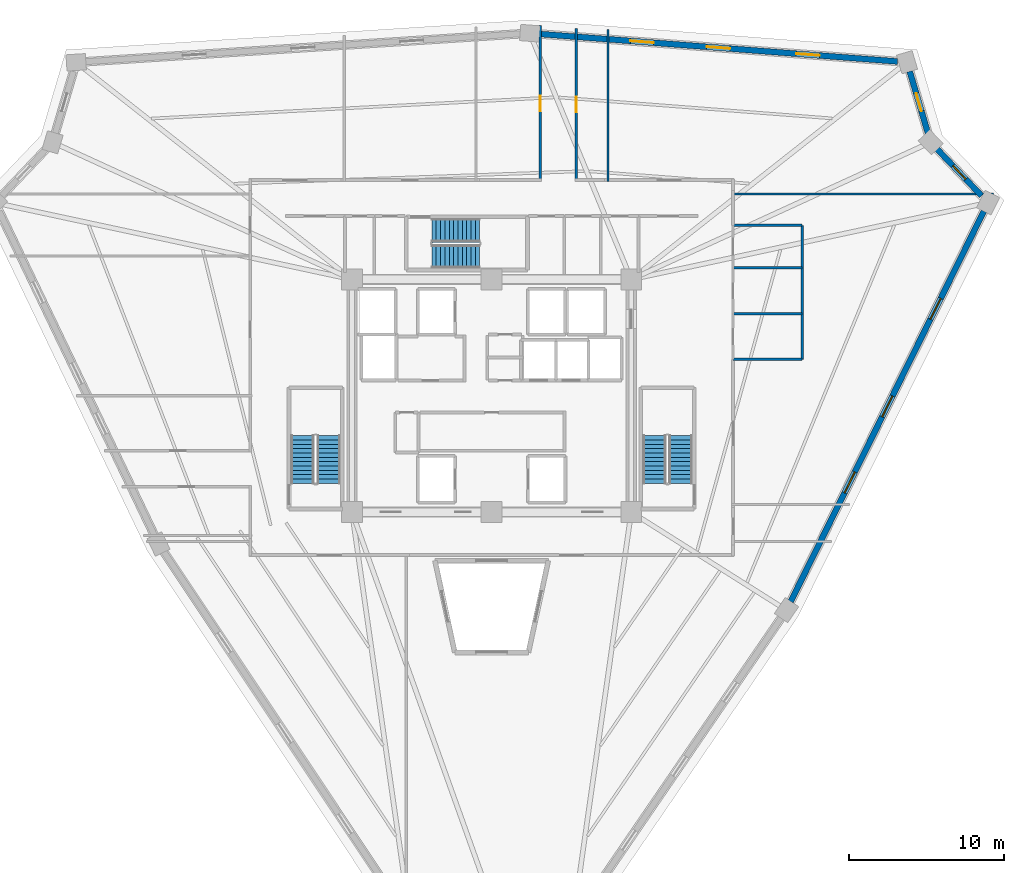
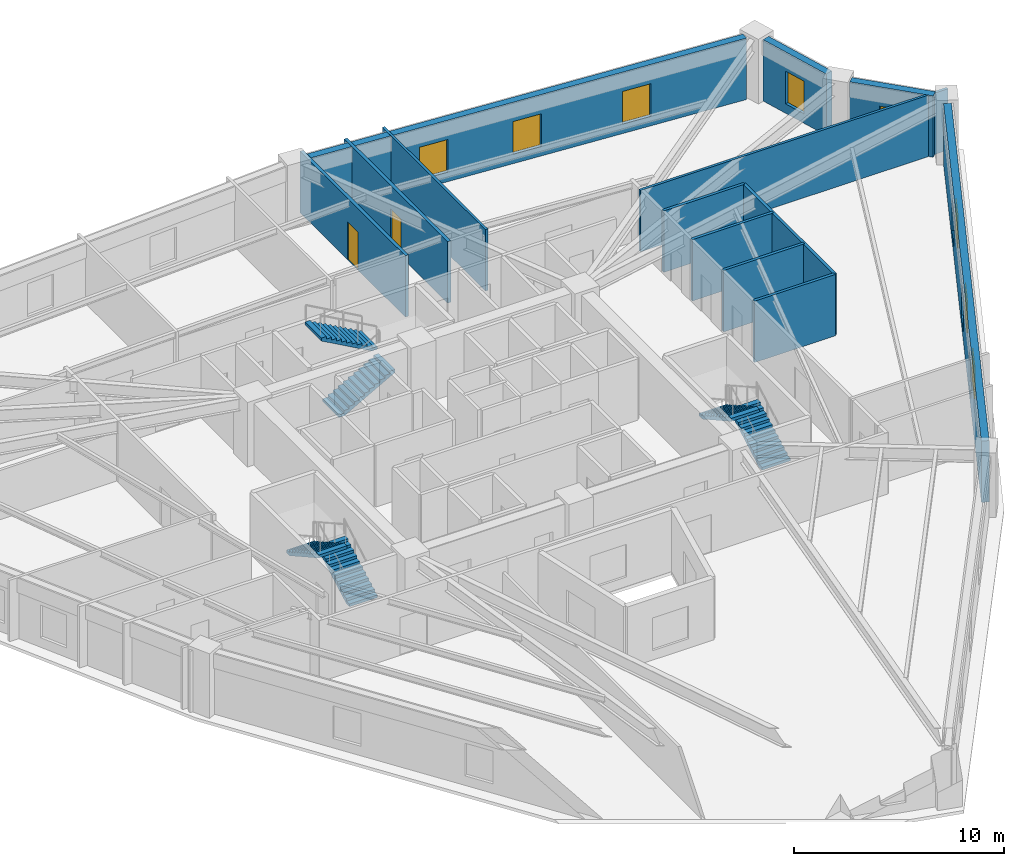
# One storey, part 7 of 8: 13 walls, 8 windows, 6 stair flights, 2 doors, 10 openings, 3 elements without a shape of their own.
"""IFC4 building model written with IfcOpenShell, lengths in metres."""

from ifc_helpers import new_model, si_unit, direction, frame, frame_2d, origin, place, context, subcontext, project, spatial, polyline, rectangle, outline, extrude, source, transform, mapped, material, layer, layer_set, type_object, element, fill, aggregate, save


model = new_model("IFC4")

# Units and contexts
model_context = context("Model", 3, precision=1e-05, world=origin(), true_north=direction((0.0, 1.0)))
body_context = subcontext(model_context, "Body", "Model", "MODEL_VIEW")
ifc_project = project(units=[si_unit("LENGTHUNIT", "METRE"), si_unit("AREAUNIT", "SQUARE_METRE"), si_unit("VOLUMEUNIT", "CUBIC_METRE"), si_unit("PLANEANGLEUNIT", "RADIAN"), si_unit("MASSUNIT", "GRAM", prefix="KILO")], contexts=[model_context])

# Site, building, storey
site_placement = place(None, origin())
site = spatial("IfcSite", under=ifc_project, at=site_placement, CompositionType="ELEMENT")
building_placement = place(site_placement, origin())
building = spatial("IfcBuilding", under=site, at=building_placement, Name="Liaohun Quay Tower", CompositionType="ELEMENT")
storey_placement = place(building_placement, frame((0.0, 0.0, 247.5)))
storey = spatial("IfcBuildingStorey", under=building, at=storey_placement, Name="L64", CompositionType="ELEMENT", Elevation=247.5)

# Wall, openings, windows
ifc_material_1 = material(Name="Precast concrete C50 insulated sandwich", Category="concrete")
ifc_layer_1 = layer(ifc_material_1, 0.3798828125, Name="Precast concrete C50 insulated sandwich", Category="concrete")
ifc_layer_set_1 = layer_set([ifc_layer_1], Name="Precast concrete C50 insulated sandwich")
wall_type_1 = type_object("IfcWallType", Name="WAL-EXT-Z34", PredefinedType="SOLIDWALL", material=ifc_layer_set_1)
wall_1_placement = place(storey_placement, frame((79.281005859375, 40.73291015625, 0.0), z_axis=(0.0, 0.0, 1.0), x_axis=(0.44350165784, 0.896273551709, 0.0)))
wall_1 = element("IfcWall", 1, at=wall_1_placement, inside=storey, type_object=wall_type_1, Name="L64 Brutalist Precast Pier Wall 03", PredefinedType="SOLIDWALL", context=body_context, shape_type="SweptSolid", body=[
    extrude(rectangle(XDim=28.07421875, YDim=0.3798828125, at=frame_2d((14.037109375, 0.0))), origin(), (0.0, 0.0, 1.0), 3.570068359375),
])
shared_shape_1 = source(origin(), body_context, "Body", "SweptSolid", [
    extrude(rectangle(XDim=1.5, YDim=1.89990234375, at=frame_2d((0.75, 0.949951171875))), frame((0.0, 0.199951171875, 0.0), z_axis=(0.0, -1.0, 0.0), x_axis=(1.0, 0.0, 0.0)), (0.0, 0.0, 1.0), 0.39990234375),
])
opening_1_placement = place(wall_1_placement, frame((7.819091796875, 0.0, 0.550048828125)))
opening_1 = element("IfcOpeningElement", 2, at=opening_1_placement, cuts=wall_1, Name="Opening W03", PredefinedType="OPENING", context=body_context, shape_type="MappedRepresentation", body=[
    mapped(shared_shape_1, transform((0.0, 0.0, 0.0), x_axis=(1.0, 0.0, 0.0), y_axis=(0.0, 1.0, 0.0), z_axis=(0.0, 0.0, 1.0), scale=1.0)),
])
opening_2_placement = place(wall_1_placement, frame((13.287109375, 0.0, 0.550048828125)))
opening_2 = element("IfcOpeningElement", 3, at=opening_2_placement, cuts=wall_1, Name="Opening W03", PredefinedType="OPENING", context=body_context, shape_type="MappedRepresentation", body=[
    mapped(shared_shape_1, transform((0.0, 0.0, 0.0), x_axis=(1.0, 0.0, 0.0), y_axis=(0.0, 1.0, 0.0), z_axis=(0.0, 0.0, 1.0), scale=1.0)),
])
opening_3_placement = place(wall_1_placement, frame((20.305908203125, 0.0, 0.550048828125)))
opening_3 = element("IfcOpeningElement", 4, at=opening_3_placement, cuts=wall_1, Name="Opening W03", PredefinedType="OPENING", context=body_context, shape_type="MappedRepresentation", body=[
    mapped(shared_shape_1, transform((0.0, 0.0, 0.0), x_axis=(1.0, 0.0, 0.0), y_axis=(0.0, 1.0, 0.0), z_axis=(0.0, 0.0, 1.0), scale=1.0)),
])
ifc_material_2 = material(Name="Triple Low-E argon glazing in thermally broken aluminium", Category="aluminium")
window_type_1 = type_object("IfcWindowType", Name="WIN-PUN-Z3", PartitioningType="DOUBLE_PANEL_VERTICAL", PredefinedType="WINDOW", material=ifc_material_2)
shared_shape_2 = source(origin(), body_context, "Body", "SweptSolid", [
    extrude(rectangle(XDim=1.5, YDim=1.89990234375, at=frame_2d((0.75, 0.949951171875))), frame((0.0, 0.030029296875, 0.0), z_axis=(0.0, -1.0, 0.0), x_axis=(1.0, 0.0, 0.0)), (0.0, 0.0, 1.0), 0.06005859375),
])
window_1_placement = place(opening_1_placement, origin())
window_1 = element("IfcWindow", 5, at=window_1_placement, inside=storey, type_object=window_type_1, Name="L64 Recessed Cold-Climate Punched Window 03-1", OverallHeight=1.89990234375, OverallWidth=1.5, PartitioningType="DOUBLE_PANEL_VERTICAL", PredefinedType="WINDOW", context=body_context, shape_type="MappedRepresentation", body=[
    mapped(shared_shape_2, transform((0.0, 0.0, 0.0), x_axis=(1.0, 0.0, 0.0), y_axis=(0.0, 1.0, 0.0), z_axis=(0.0, 0.0, 1.0), scale=1.0)),
])
fill(opening_1, window_1)
window_2_placement = place(opening_2_placement, origin())
window_2 = element("IfcWindow", 6, at=window_2_placement, inside=storey, type_object=window_type_1, Name="L64 Recessed Cold-Climate Punched Window 03-2", OverallHeight=1.89990234375, OverallWidth=1.5, PartitioningType="DOUBLE_PANEL_VERTICAL", PredefinedType="WINDOW", context=body_context, shape_type="MappedRepresentation", body=[
    mapped(shared_shape_2, transform((0.0, 0.0, 0.0), x_axis=(1.0, 0.0, 0.0), y_axis=(0.0, 1.0, 0.0), z_axis=(0.0, 0.0, 1.0), scale=1.0)),
])
fill(opening_2, window_2)
window_3_placement = place(opening_3_placement, origin())
window_3 = element("IfcWindow", 7, at=window_3_placement, inside=storey, type_object=window_type_1, Name="L64 Recessed Cold-Climate Punched Window 03-3", OverallHeight=1.89990234375, OverallWidth=1.5, PartitioningType="DOUBLE_PANEL_VERTICAL", PredefinedType="WINDOW", context=body_context, shape_type="MappedRepresentation", body=[
    mapped(shared_shape_2, transform((0.0, 0.0, 0.0), x_axis=(1.0, 0.0, 0.0), y_axis=(0.0, 1.0, 0.0), z_axis=(0.0, 0.0, 1.0), scale=1.0)),
])
fill(opening_3, window_3)

# Wall, opening, window
wall_2_placement = place(storey_placement, frame((91.5810546875, 66.89208984375, 0.0), z_axis=(0.0, 0.0, 1.0), x_axis=(-0.689387303183, 0.724392950139, 0.0)))
wall_2 = element("IfcWall", 8, at=wall_2_placement, inside=storey, type_object=wall_type_1, Name="L64 Brutalist Precast Pier Wall 04", PredefinedType="SOLIDWALL", context=body_context, shape_type="SweptSolid", body=[
    extrude(rectangle(XDim=4.142822265625, YDim=0.3798828125, at=frame_2d((2.0712890625, 0.0))), origin(), (0.0, 0.0, 1.0), 3.570068359375),
])
shared_shape_3 = source(origin(), body_context, "Body", "SweptSolid", [
    extrude(rectangle(XDim=1.199951171875, YDim=1.89990234375, at=frame_2d((0.60009765625, 0.949951171875))), frame((0.0, 0.199951171875, 0.0), z_axis=(0.0, -1.0, 0.0), x_axis=(1.0, 0.0, 0.0)), (0.0, 0.0, 1.0), 0.39990234375),
])
opening_4_placement = place(wall_2_placement, frame((1.470947265625, 0.0, 0.550048828125)))
opening_4 = element("IfcOpeningElement", 9, at=opening_4_placement, cuts=wall_2, Name="Opening W05", PredefinedType="OPENING", context=body_context, shape_type="MappedRepresentation", body=[
    mapped(shared_shape_3, transform((0.0, 0.0, 0.0), x_axis=(1.0, 0.0, 0.0), y_axis=(0.0, 1.0, 0.0), z_axis=(0.0, 0.0, 1.0), scale=1.0)),
])
ifc_material_3 = material(Name="Triple Low-E corner notch glazing", Category="glass")
window_type_2 = type_object("IfcWindowType", Name="WIN-NOTCH", PartitioningType="SINGLE_PANEL", PredefinedType="WINDOW", material=ifc_material_3)
shared_shape_4 = source(origin(), body_context, "Body", "SweptSolid", [
    extrude(rectangle(XDim=1.199951171875, YDim=1.89990234375, at=frame_2d((0.60009765625, 0.949951171875))), frame((0.0, 0.030029296875, 0.0), z_axis=(0.0, -1.0, 0.0), x_axis=(1.0, 0.0, 0.0)), (0.0, 0.0, 1.0), 0.06005859375),
])
window_4_placement = place(opening_4_placement, origin())
window_4 = element("IfcWindow", 10, at=window_4_placement, inside=storey, type_object=window_type_2, Name="L64 Corner Notch Window W05-04", OverallHeight=1.89990234375, OverallWidth=1.199951171875, PartitioningType="SINGLE_PANEL", PredefinedType="WINDOW", context=body_context, shape_type="MappedRepresentation", body=[
    mapped(shared_shape_4, transform((0.0, 0.0, 0.0), x_axis=(1.0, 0.0, 0.0), y_axis=(0.0, 1.0, 0.0), z_axis=(0.0, 0.0, 1.0), scale=1.0)),
])
fill(opening_4, window_4)

wall_3_placement = place(storey_placement, frame((88.126953125, 70.928955078125, 0.0), z_axis=(0.0, 0.0, 1.0), x_axis=(-0.283028996967, 0.959111352699, 0.0)))
wall_3 = element("IfcWall", 11, at=wall_3_placement, inside=storey, type_object=wall_type_1, Name="L64 Brutalist Precast Pier Wall 05", PredefinedType="SOLIDWALL", context=body_context, shape_type="SweptSolid", body=[
    extrude(rectangle(XDim=4.151611328125, YDim=0.3798828125, at=frame_2d((2.07568359375, 0.0))), origin(), (0.0, 0.0, 1.0), 3.570068359375),
])
opening_5_placement = place(wall_3_placement, frame((1.47607421875, 0.0, 0.550048828125)))
opening_5 = element("IfcOpeningElement", 12, at=opening_5_placement, cuts=wall_3, Name="Opening W05", PredefinedType="OPENING", context=body_context, shape_type="MappedRepresentation", body=[
    mapped(shared_shape_3, transform((0.0, 0.0, 0.0), x_axis=(1.0, 0.0, 0.0), y_axis=(0.0, 1.0, 0.0), z_axis=(0.0, 0.0, 1.0), scale=1.0)),
])
window_5_placement = place(opening_5_placement, origin())
window_5 = element("IfcWindow", 13, at=window_5_placement, inside=storey, type_object=window_type_2, Name="L64 Corner Notch Window W05-05", OverallHeight=1.89990234375, OverallWidth=1.199951171875, PartitioningType="SINGLE_PANEL", PredefinedType="WINDOW", context=body_context, shape_type="MappedRepresentation", body=[
    mapped(shared_shape_4, transform((0.0, 0.0, 0.0), x_axis=(1.0, 0.0, 0.0), y_axis=(0.0, 1.0, 0.0), z_axis=(0.0, 0.0, 1.0), scale=1.0)),
])
fill(opening_5, window_5)

# Wall, openings, windows
wall_4_placement = place(storey_placement, frame((86.1650390625, 75.548095703125, 0.0), z_axis=(0.0, 0.0, 1.0), x_axis=(-0.997058143471, 0.076648930443, 0.0)))
wall_4 = element("IfcWall", 14, at=wall_4_placement, inside=storey, type_object=wall_type_1, Name="L64 Brutalist Precast Pier Wall 06", PredefinedType="SOLIDWALL", context=body_context, shape_type="SweptSolid", body=[
    extrude(rectangle(XDim=23.15625, YDim=0.3798828125, at=frame_2d((11.578125, 0.0))), origin(), (0.0, 0.0, 1.0), 3.570068359375),
])
opening_6_placement = place(wall_4_placement, frame((5.0390625, 0.0, 0.550048828125)))
opening_6 = element("IfcOpeningElement", 15, at=opening_6_placement, cuts=wall_4, Name="Opening W03", PredefinedType="OPENING", context=body_context, shape_type="MappedRepresentation", body=[
    mapped(shared_shape_1, transform((0.0, 0.0, 0.0), x_axis=(1.0, 0.0, 0.0), y_axis=(0.0, 1.0, 0.0), z_axis=(0.0, 0.0, 1.0), scale=1.0)),
])
opening_7_placement = place(wall_4_placement, frame((10.827880859375, 0.0, 0.550048828125)))
opening_7 = element("IfcOpeningElement", 16, at=opening_7_placement, cuts=wall_4, Name="Opening W03", PredefinedType="OPENING", context=body_context, shape_type="MappedRepresentation", body=[
    mapped(shared_shape_1, transform((0.0, 0.0, 0.0), x_axis=(1.0, 0.0, 0.0), y_axis=(0.0, 1.0, 0.0), z_axis=(0.0, 0.0, 1.0), scale=1.0)),
])
opening_8_placement = place(wall_4_placement, frame((15.76708984375, 0.0, 0.550048828125)))
opening_8 = element("IfcOpeningElement", 17, at=opening_8_placement, cuts=wall_4, Name="Opening W03", PredefinedType="OPENING", context=body_context, shape_type="MappedRepresentation", body=[
    mapped(shared_shape_1, transform((0.0, 0.0, 0.0), x_axis=(1.0, 0.0, 0.0), y_axis=(0.0, 1.0, 0.0), z_axis=(0.0, 0.0, 1.0), scale=1.0)),
])
window_6_placement = place(opening_6_placement, origin())
window_6 = element("IfcWindow", 18, at=window_6_placement, inside=storey, type_object=window_type_1, Name="L64 Recessed Cold-Climate Punched Window 06-1", OverallHeight=1.89990234375, OverallWidth=1.5, PartitioningType="DOUBLE_PANEL_VERTICAL", PredefinedType="WINDOW", context=body_context, shape_type="MappedRepresentation", body=[
    mapped(shared_shape_2, transform((0.0, 0.0, 0.0), x_axis=(1.0, 0.0, 0.0), y_axis=(0.0, 1.0, 0.0), z_axis=(0.0, 0.0, 1.0), scale=1.0)),
])
fill(opening_6, window_6)
window_7_placement = place(opening_7_placement, origin())
window_7 = element("IfcWindow", 19, at=window_7_placement, inside=storey, type_object=window_type_1, Name="L64 Recessed Cold-Climate Punched Window 06-2", OverallHeight=1.89990234375, OverallWidth=1.5, PartitioningType="DOUBLE_PANEL_VERTICAL", PredefinedType="WINDOW", context=body_context, shape_type="MappedRepresentation", body=[
    mapped(shared_shape_2, transform((0.0, 0.0, 0.0), x_axis=(1.0, 0.0, 0.0), y_axis=(0.0, 1.0, 0.0), z_axis=(0.0, 0.0, 1.0), scale=1.0)),
])
fill(opening_7, window_7)
window_8_placement = place(opening_8_placement, origin())
window_8 = element("IfcWindow", 20, at=window_8_placement, inside=storey, type_object=window_type_1, Name="L64 Recessed Cold-Climate Punched Window 06-3", OverallHeight=1.89990234375, OverallWidth=1.5, PartitioningType="DOUBLE_PANEL_VERTICAL", PredefinedType="WINDOW", context=body_context, shape_type="MappedRepresentation", body=[
    mapped(shared_shape_2, transform((0.0, 0.0, 0.0), x_axis=(1.0, 0.0, 0.0), y_axis=(0.0, 1.0, 0.0), z_axis=(0.0, 0.0, 1.0), scale=1.0)),
])
fill(opening_8, window_8)

# Wall, opening, door
ifc_material_4 = material(Name="Autoclaved aerated concrete blockwork", Category="masonry")
ifc_layer_2 = layer(ifc_material_4, 0.179931640625, Name="Autoclaved aerated concrete blockwork", Category="masonry")
ifc_layer_set_2 = layer_set([ifc_layer_2], Name="Autoclaved aerated concrete blockwork")
wall_type_2 = type_object("IfcWallType", Name="WAL-PRT-COR", PredefinedType="PARTITIONING", material=ifc_layer_set_2)
wall_5_placement = place(storey_placement, frame((65.4599609375, 77.680908203125, 0.0), z_axis=(0.0, 0.0, 1.0), x_axis=(0.0, -1.0, 0.0)))
wall_5 = element("IfcWall", 21, at=wall_5_placement, inside=storey, type_object=wall_type_2, Name="L64 Interior Partition Wall 018", PredefinedType="PARTITIONING", context=body_context, shape_type="SweptSolid", body=[
    extrude(rectangle(XDim=9.8408203125, YDim=0.179931640625, at=frame_2d((4.92041015625, 0.0))), origin(), (0.0, 0.0, 1.0), 3.570068359375),
])
shared_shape_5 = source(origin(), body_context, "Body", "SweptSolid", [
    extrude(rectangle(XDim=1.0, YDim=2.199951171875, at=frame_2d((0.5, 1.10009765625))), frame((0.0, 0.099853515625, 0.0), z_axis=(0.0, -1.0, 0.0), x_axis=(1.0, 0.0, 0.0)), (0.0, 0.0, 1.0), 0.199951171875),
])
opening_9_placement = place(wall_5_placement, frame((4.419921875, 0.0, 0.0)))
opening_9 = element("IfcOpeningElement", 22, at=opening_9_placement, cuts=wall_5, Name="Opening OD1", PredefinedType="OPENING", context=body_context, shape_type="MappedRepresentation", body=[
    mapped(shared_shape_5, transform((0.0, 0.0, 0.0), x_axis=(1.0, 0.0, 0.0), y_axis=(0.0, 1.0, 0.0), z_axis=(0.0, 0.0, 1.0), scale=1.0)),
])
ifc_material_5 = material(Name="Solid-core oak veneer timber leaf in steel frame", Category="steel")
door_type = type_object("IfcDoorType", Name="DOR-OFF-1000", OperationType="NOTDEFINED", PredefinedType="DOOR", material=ifc_material_5)
shared_shape_6 = source(origin(), body_context, "Body", "SweptSolid", [
    extrude(rectangle(XDim=1.0, YDim=2.199951171875, at=frame_2d((0.5, 1.10009765625))), frame((0.0, 0.02490234375, 0.0), z_axis=(0.0, -1.0, 0.0), x_axis=(1.0, 0.0, 0.0)), (0.0, 0.0, 1.0), 0.050048828125),
])
door_1_placement = place(opening_9_placement, origin())
door_1 = element("IfcDoor", 23, at=door_1_placement, inside=storey, type_object=door_type, Name="L64 Digital Prototyping Laboratory 03 Door", OperationType="SINGLE_SWING_RIGHT", OverallHeight=2.199951171875, OverallWidth=1.0, PredefinedType="DOOR", context=body_context, shape_type="MappedRepresentation", body=[
    mapped(shared_shape_6, transform((0.0, 0.0, 0.0), x_axis=(1.0, 0.0, 0.0), y_axis=(0.0, 1.0, 0.0), z_axis=(0.0, 0.0, 1.0), scale=1.0)),
])
fill(opening_9, door_1)

wall_6_placement = place(storey_placement, frame((63.139892578125, 67.840087890625, 0.0), z_axis=(0.0, 0.0, 1.0), x_axis=(0.0, 1.0, 0.0)))
wall_6 = element("IfcWall", 24, at=wall_6_placement, inside=storey, type_object=wall_type_2, Name="L64 Interior Partition Wall 019", PredefinedType="PARTITIONING", context=body_context, shape_type="SweptSolid", body=[
    extrude(rectangle(XDim=10.018798828125, YDim=0.179931640625, at=frame_2d((5.00927734375, 0.0))), origin(), (0.0, 0.0, 1.0), 3.570068359375),
])
opening_10_placement = place(wall_6_placement, frame((4.509033203125, 0.0, 0.0)))
opening_10 = element("IfcOpeningElement", 25, at=opening_10_placement, cuts=wall_6, Name="Opening OD1", PredefinedType="OPENING", context=body_context, shape_type="MappedRepresentation", body=[
    mapped(shared_shape_5, transform((0.0, 0.0, 0.0), x_axis=(1.0, 0.0, 0.0), y_axis=(0.0, 1.0, 0.0), z_axis=(0.0, 0.0, 1.0), scale=1.0)),
])
door_2_placement = place(opening_10_placement, origin())
door_2 = element("IfcDoor", 26, at=door_2_placement, inside=storey, type_object=door_type, Name="L64 Project Collaboration Studio 04 Door", OperationType="SINGLE_SWING_LEFT", OverallHeight=2.199951171875, OverallWidth=1.0, PredefinedType="DOOR", context=body_context, shape_type="MappedRepresentation", body=[
    mapped(shared_shape_6, transform((0.0, 0.0, 0.0), x_axis=(1.0, 0.0, 0.0), y_axis=(0.0, 1.0, 0.0), z_axis=(0.0, 0.0, 1.0), scale=1.0)),
])
fill(opening_10, door_2)

# Walls
ifc_material_6 = material(Name="Gypsum board on twin steel studs", Category="steel")
ifc_layer_3 = layer(ifc_material_6, 0.139892578125, Name="Gypsum board on twin steel studs", Category="steel")
ifc_layer_set_3 = layer_set([ifc_layer_3], Name="Gypsum board on twin steel studs")
wall_type_3 = type_object("IfcWallType", Name="WAL-PRT-OFF", PredefinedType="PARTITIONING", material=ifc_layer_set_3)
wall_7_placement = place(storey_placement, frame((75.4599609375, 67.0, 0.0), z_axis=(0.0, 0.0, 1.0), x_axis=(1.0, 0.0, 0.0)))
element("IfcWall", 27, at=wall_7_placement, inside=storey, type_object=wall_type_3, Name="L64 Interior Partition Wall 061", PredefinedType="PARTITIONING", context=body_context, shape_type="SweptSolid", body=[
    extrude(rectangle(XDim=16.887939453125, YDim=0.139892578125, at=frame_2d((8.44384765625, 0.0))), origin(), (0.0, 0.0, 1.0), 3.570068359375),
])
wall_8_placement = place(storey_placement, frame((67.5, 67.81005859375, 0.0), z_axis=(0.0, 0.0, 1.0), x_axis=(0.0, 1.0, 0.0)))
element("IfcWall", 28, at=wall_8_placement, inside=storey, type_object=wall_type_3, Name="L64 Interior Partition Wall 064", PredefinedType="PARTITIONING", context=body_context, shape_type="SweptSolid", body=[
    extrude(rectangle(XDim=9.804931640625, YDim=0.139892578125, at=frame_2d((4.90234375, 0.0))), origin(), (0.0, 0.0, 1.0), 3.570068359375),
])
ifc_material_7 = material(Name="Moisture-resistant masonry blockwork", Category="masonry")
ifc_layer_4 = layer(ifc_material_7, 0.159912109375, Name="Moisture-resistant masonry blockwork", Category="masonry")
ifc_layer_set_4 = layer_set([ifc_layer_4], Name="Moisture-resistant masonry blockwork")
wall_type_4 = type_object("IfcWallType", Name="WAL-PRT-WET", PredefinedType="PARTITIONING", material=ifc_layer_set_4)
wall_9_placement = place(storey_placement, frame((80.02001953125, 56.340087890625, 0.0), z_axis=(0.0, 0.0, 1.0), x_axis=(0.0, 1.0, 0.0)))
element("IfcWall", 29, at=wall_9_placement, inside=storey, type_object=wall_type_4, Name="L64 Interior Partition Wall 035", PredefinedType="PARTITIONING", context=body_context, shape_type="SweptSolid", body=[
    extrude(rectangle(XDim=8.639892578125, YDim=0.159912109375, at=frame_2d((4.31982421875, 0.0))), origin(), (0.0, 0.0, 1.0), 3.570068359375),
])
for number, where, z_axis, x_axis, name in (
    (30, (75.56005859375, 56.340087890625, 0.0), (0.0, 0.0, 1.0), (1.0, 0.0, 0.0), "L64 Interior Partition Wall 036"),
    (31, (75.56005859375, 59.280029296875, 0.0), (0.0, 0.0, 1.0), (1.0, 0.0, 0.0), "L64 Interior Partition Wall 037"),
    (32, (75.56005859375, 62.239990234375, 0.0), (0.0, 0.0, 1.0), (1.0, 0.0, 0.0), "L64 Interior Partition Wall 038"),
    (33, (75.56005859375, 64.97998046875, 0.0), (0.0, 0.0, 1.0), (1.0, 0.0, 0.0), "L64 Interior Partition Wall 039"),
):
    element("IfcWall", number, at=place(storey_placement, frame(where, z_axis=z_axis, x_axis=x_axis)), inside=storey, type_object=wall_type_4, Name=name, PredefinedType="PARTITIONING", context=body_context, shape_type="SweptSolid", body=[
        extrude(rectangle(XDim=4.4599609375, YDim=0.159912109375, at=frame_2d((2.22998046875, 0.0))), origin(), (0.0, 0.0, 1.0), 3.570068359375),
    ])

# Stair, stair flights
ifc_material_8 = material(Name="Concrete C45", Category="concrete")
stair_type = type_object("IfcStairType", Name="STR-CORE-OFF", PredefinedType="HALF_TURN_STAIR", material=ifc_material_8)
stair_1_placement = place(storey_placement, origin())
stair_1 = element("IfcStair", 34, at=stair_1_placement, inside=storey, type_object=stair_type, Name="L64 Smokeproof Core Exit Stair ST-1", PredefinedType="HALF_TURN_STAIR")
stair_flight_type = type_object("IfcStairFlightType", Name="FLT-CORE-155", PredefinedType="STRAIGHT", material=ifc_material_8)
stair_flight_1_placement = place(storey_placement, frame((49.5048828125, 48.35009765625, 0.0), z_axis=(0.0, 0.0, 1.0), x_axis=(0.0, 1.0, 0.0)))
stair_flight_1 = element("IfcStairFlight", 35, at=stair_flight_1_placement, type_object=stair_flight_type, Name="ST-1 flight 1", NumberOfRisers=12, NumberOfTreads=11, PredefinedType="STRAIGHT", RiserHeight=0.15625, TreadLength=0.28, context=body_context, shape_type="SweptSolid", body=[
    extrude(outline(polyline([(0.0, 0.0), (0.0, 0.15625), (0.280029296875, 0.15625), (0.280029296875, 0.3125), (0.56005859375, 0.3125), (0.56005859375, 0.46875), (0.840087890625, 0.46875), (0.840087890625, 0.625), (1.1201171875, 0.625), (1.1201171875, 0.78125), (1.39990234375, 0.78125), (1.39990234375, 0.9375), (1.679931640625, 0.9375), (1.679931640625, 1.09375), (1.9599609375, 1.09375), (1.9599609375, 1.25), (2.239990234375, 1.25), (2.239990234375, 1.40625), (2.52001953125, 1.40625), (2.52001953125, 1.5625), (2.800048828125, 1.5625), (2.800048828125, 1.71875), (3.080078125, 1.71875), (3.080078125, 1.875), (3.080078125, 1.547119140625), (0.3076171875, 0.0), (0.0, 0.0)])), frame((0.0, 0.77490234375, 0.0), z_axis=(0.0, -1.0, 0.0), x_axis=(1.0, 0.0, 0.0)), (0.0, 0.0, 1.0), 1.550048828125),
])
stair_flight_2_placement = place(storey_placement, frame((47.81494140625, 51.429931640625, 1.875), z_axis=(0.0, 0.0, 1.0), x_axis=(0.0, -1.0, 0.0)))
stair_flight_2 = element("IfcStairFlight", 36, at=stair_flight_2_placement, type_object=stair_flight_type, Name="ST-1 flight 2", NumberOfRisers=12, NumberOfTreads=11, PredefinedType="STRAIGHT", RiserHeight=0.15625, TreadLength=0.28, context=body_context, shape_type="SweptSolid", body=[
    extrude(outline(polyline([(0.0, 0.0), (0.0, 0.15625), (0.280029296875, 0.15625), (0.280029296875, 0.3125), (0.56005859375, 0.3125), (0.56005859375, 0.46875), (0.840087890625, 0.46875), (0.840087890625, 0.625), (1.1201171875, 0.625), (1.1201171875, 0.78125), (1.39990234375, 0.78125), (1.39990234375, 0.9375), (1.679931640625, 0.9375), (1.679931640625, 1.09375), (1.9599609375, 1.09375), (1.9599609375, 1.25), (2.239990234375, 1.25), (2.239990234375, 1.40625), (2.52001953125, 1.40625), (2.52001953125, 1.5625), (2.800048828125, 1.5625), (2.800048828125, 1.71875), (3.080078125, 1.71875), (3.080078125, 1.875), (3.080078125, 1.547119140625), (0.3076171875, 0.0), (0.0, 0.0)])), frame((0.0, 0.77490234375, 0.0), z_axis=(0.0, -1.0, 0.0), x_axis=(1.0, 0.0, 0.0)), (0.0, 0.0, 1.0), 1.550048828125),
])
aggregate(stair_1, [stair_flight_1, stair_flight_2])

stair_2_placement = place(storey_placement, origin())
stair_2 = element("IfcStair", 37, at=stair_2_placement, inside=storey, type_object=stair_type, Name="L64 Smokeproof Core Exit Stair ST-2", PredefinedType="HALF_TURN_STAIR")
stair_flight_3_placement = place(storey_placement, frame((72.18505859375, 48.35009765625, 0.0), z_axis=(0.0, 0.0, 1.0), x_axis=(0.0, 1.0, 0.0)))
stair_flight_3 = element("IfcStairFlight", 38, at=stair_flight_3_placement, type_object=stair_flight_type, Name="ST-2 flight 1", NumberOfRisers=12, NumberOfTreads=11, PredefinedType="STRAIGHT", RiserHeight=0.15625, TreadLength=0.28, context=body_context, shape_type="SweptSolid", body=[
    extrude(outline(polyline([(0.0, 0.0), (0.0, 0.15625), (0.280029296875, 0.15625), (0.280029296875, 0.3125), (0.56005859375, 0.3125), (0.56005859375, 0.46875), (0.840087890625, 0.46875), (0.840087890625, 0.625), (1.1201171875, 0.625), (1.1201171875, 0.78125), (1.39990234375, 0.78125), (1.39990234375, 0.9375), (1.679931640625, 0.9375), (1.679931640625, 1.09375), (1.9599609375, 1.09375), (1.9599609375, 1.25), (2.239990234375, 1.25), (2.239990234375, 1.40625), (2.52001953125, 1.40625), (2.52001953125, 1.5625), (2.800048828125, 1.5625), (2.800048828125, 1.71875), (3.080078125, 1.71875), (3.080078125, 1.875), (3.080078125, 1.547119140625), (0.3076171875, 0.0), (0.0, 0.0)])), frame((0.0, 0.77490234375, 0.0), z_axis=(0.0, -1.0, 0.0), x_axis=(1.0, 0.0, 0.0)), (0.0, 0.0, 1.0), 1.550048828125),
])
stair_flight_4_placement = place(storey_placement, frame((70.4951171875, 51.429931640625, 1.875), z_axis=(0.0, 0.0, 1.0), x_axis=(0.0, -1.0, 0.0)))
stair_flight_4 = element("IfcStairFlight", 39, at=stair_flight_4_placement, type_object=stair_flight_type, Name="ST-2 flight 2", NumberOfRisers=12, NumberOfTreads=11, PredefinedType="STRAIGHT", RiserHeight=0.15625, TreadLength=0.28, context=body_context, shape_type="SweptSolid", body=[
    extrude(outline(polyline([(0.0, 0.0), (0.0, 0.15625), (0.280029296875, 0.15625), (0.280029296875, 0.3125), (0.56005859375, 0.3125), (0.56005859375, 0.46875), (0.840087890625, 0.46875), (0.840087890625, 0.625), (1.1201171875, 0.625), (1.1201171875, 0.78125), (1.39990234375, 0.78125), (1.39990234375, 0.9375), (1.679931640625, 0.9375), (1.679931640625, 1.09375), (1.9599609375, 1.09375), (1.9599609375, 1.25), (2.239990234375, 1.25), (2.239990234375, 1.40625), (2.52001953125, 1.40625), (2.52001953125, 1.5625), (2.800048828125, 1.5625), (2.800048828125, 1.71875), (3.080078125, 1.71875), (3.080078125, 1.875), (3.080078125, 1.547119140625), (0.3076171875, 0.0), (0.0, 0.0)])), frame((0.0, 0.77490234375, 0.0), z_axis=(0.0, -1.0, 0.0), x_axis=(1.0, 0.0, 0.0)), (0.0, 0.0, 1.0), 1.550048828125),
])
aggregate(stair_2, [stair_flight_3, stair_flight_4])

stair_3_placement = place(storey_placement, origin())
stair_3 = element("IfcStair", 40, at=stair_3_placement, inside=storey, type_object=stair_type, Name="L64 Smokeproof Core Exit Stair ST-3", PredefinedType="HALF_TURN_STAIR")
stair_flight_5_placement = place(storey_placement, frame((56.14990234375, 62.97509765625, 0.0), z_axis=(0.0, 0.0, 1.0), x_axis=(1.0, 0.0, 0.0)))
stair_flight_5 = element("IfcStairFlight", 41, at=stair_flight_5_placement, type_object=stair_flight_type, Name="ST-3 flight 1", NumberOfRisers=12, NumberOfTreads=11, PredefinedType="STRAIGHT", RiserHeight=0.15625, TreadLength=0.28, context=body_context, shape_type="SweptSolid", body=[
    extrude(outline(polyline([(0.0, 0.0), (0.0, 0.15625), (0.280029296875, 0.15625), (0.280029296875, 0.3125), (0.56005859375, 0.3125), (0.56005859375, 0.46875), (0.840087890625, 0.46875), (0.840087890625, 0.625), (1.1201171875, 0.625), (1.1201171875, 0.78125), (1.39990234375, 0.78125), (1.39990234375, 0.9375), (1.679931640625, 0.9375), (1.679931640625, 1.09375), (1.9599609375, 1.09375), (1.9599609375, 1.25), (2.239990234375, 1.25), (2.239990234375, 1.40625), (2.52001953125, 1.40625), (2.52001953125, 1.5625), (2.800048828125, 1.5625), (2.800048828125, 1.71875), (3.080078125, 1.71875), (3.080078125, 1.875), (3.080078125, 1.547119140625), (0.3076171875, 0.0), (0.0, 0.0)])), frame((0.0, 0.77490234375, 0.0), z_axis=(0.0, -1.0, 0.0), x_axis=(1.0, 0.0, 0.0)), (0.0, 0.0, 1.0), 1.550048828125),
])
stair_flight_6_placement = place(storey_placement, frame((59.22998046875, 64.6650390625, 1.875), z_axis=(0.0, 0.0, 1.0), x_axis=(-1.0, 0.0, 0.0)))
stair_flight_6 = element("IfcStairFlight", 42, at=stair_flight_6_placement, type_object=stair_flight_type, Name="ST-3 flight 2", NumberOfRisers=12, NumberOfTreads=11, PredefinedType="STRAIGHT", RiserHeight=0.15625, TreadLength=0.28, context=body_context, shape_type="SweptSolid", body=[
    extrude(outline(polyline([(0.0, 0.0), (0.0, 0.15625), (0.280029296875, 0.15625), (0.280029296875, 0.3125), (0.56005859375, 0.3125), (0.56005859375, 0.46875), (0.840087890625, 0.46875), (0.840087890625, 0.625), (1.1201171875, 0.625), (1.1201171875, 0.78125), (1.39990234375, 0.78125), (1.39990234375, 0.9375), (1.679931640625, 0.9375), (1.679931640625, 1.09375), (1.9599609375, 1.09375), (1.9599609375, 1.25), (2.239990234375, 1.25), (2.239990234375, 1.40625), (2.52001953125, 1.40625), (2.52001953125, 1.5625), (2.800048828125, 1.5625), (2.800048828125, 1.71875), (3.080078125, 1.71875), (3.080078125, 1.875), (3.080078125, 1.547119140625), (0.3076171875, 0.0), (0.0, 0.0)])), frame((0.0, 0.77490234375, 0.0), z_axis=(0.0, -1.0, 0.0), x_axis=(1.0, 0.0, 0.0)), (0.0, 0.0, 1.0), 1.550048828125),
])
aggregate(stair_3, [stair_flight_5, stair_flight_6])

save(model, "model.ifc")
